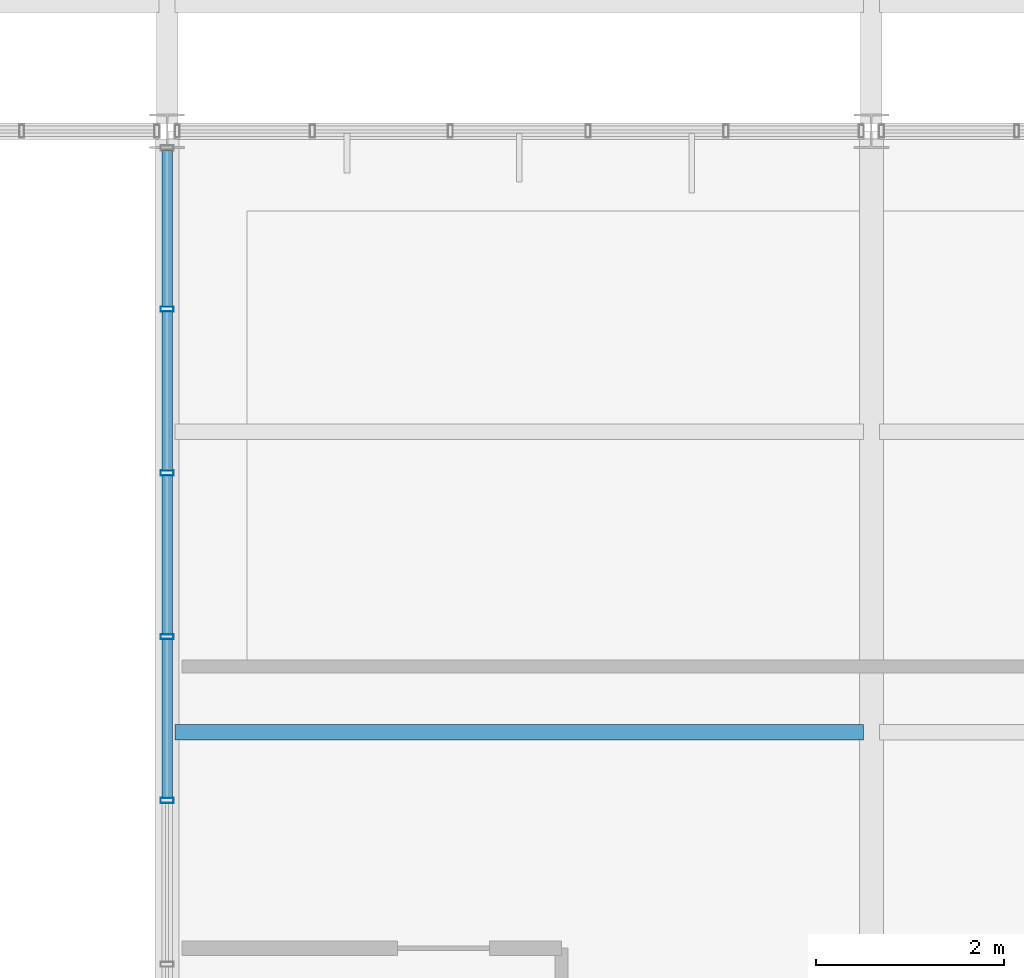
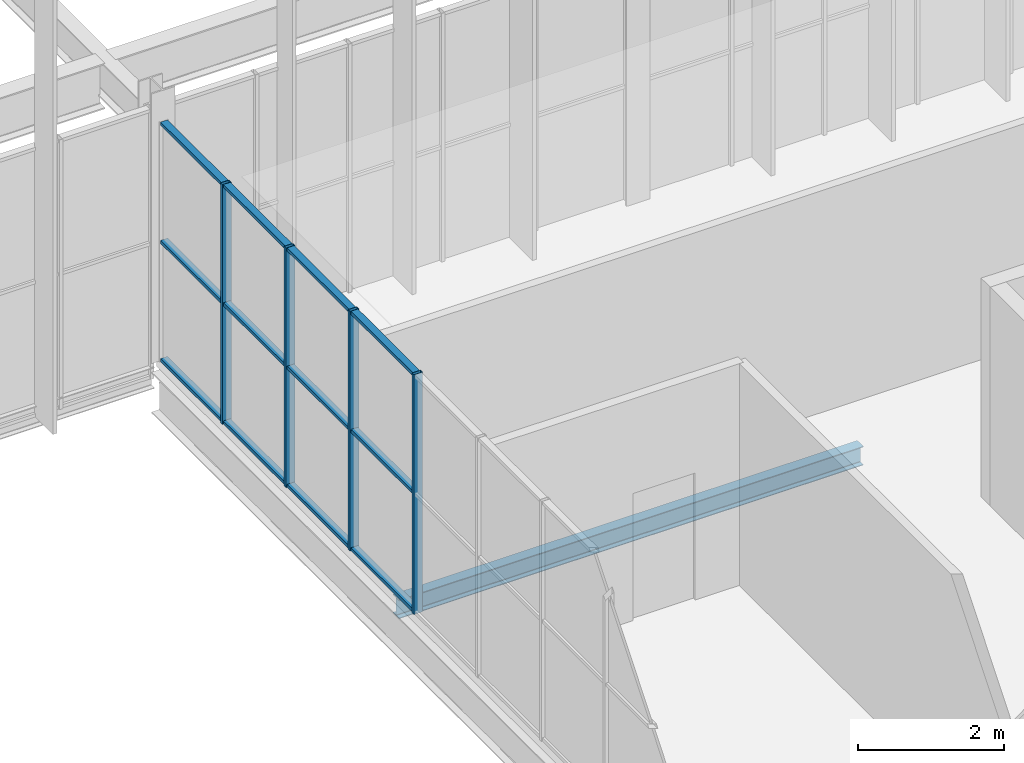
# One storey, part 176 of 324: 16 members, 1 beam, 1 element without a shape of its own.
"""IFC4 building model written with IfcOpenShell, lengths in metres."""

from ifc_helpers import new_model, si_unit, direction, frame, origin, origin_2d, place, context, subcontext, project, spatial, hollow_rectangle, i_section, extrude, material, layer, layer_set, material_profile, profile_set, type_object, element, aggregate, save


model = new_model("IFC4")

# Units and contexts
model_context = context("Model", 3, precision=1e-05, world=origin(), true_north=direction((0.0, 1.0)))
body_context = subcontext(model_context, "Body", "Model", "MODEL_VIEW")
ifc_project = project(units=[si_unit("LENGTHUNIT", "METRE"), si_unit("AREAUNIT", "SQUARE_METRE"), si_unit("VOLUMEUNIT", "CUBIC_METRE"), si_unit("PLANEANGLEUNIT", "RADIAN"), si_unit("MASSUNIT", "GRAM", prefix="KILO")], contexts=[model_context])

# Site, building, storey
site_placement = place(None, origin())
site = spatial("IfcSite", under=ifc_project, at=site_placement, CompositionType="ELEMENT")
building_placement = place(site_placement, origin())
building = spatial("IfcBuilding", under=site, at=building_placement, Name="Solvenia Promenade Tram Depot", CompositionType="ELEMENT")
storey_placement = place(building_placement, frame((0.0, 0.0, 4.5)))
storey = spatial("IfcBuildingStorey", under=building, at=storey_placement, Name="L01", CompositionType="ELEMENT", Elevation=4.5)

# Curtain wall, members
ifc_material_1 = material(Name="Anodized aluminium AW-6063 T6", Category="aluminium")
ifc_layer = layer(ifc_material_1, 0.179931640625, Name="Anodized aluminium AW-6063 T6", Category="aluminium")
ifc_layer_set = layer_set([ifc_layer], Name="Anodized aluminium AW-6063 T6")
curtain_wall_type = type_object("IfcCurtainWallType", Name="CW-Prom-1800", PredefinedType="NOTDEFINED", material=ifc_layer_set)
curtain_wall_placement = place(storey_placement, origin())
curtain_wall = element("IfcCurtainWall", 1, at=curtain_wall_placement, inside=storey, type_object=curtain_wall_type, Name="Curtain Wall CW-V5W-L01", PredefinedType="NOTDEFINED")
ifc_material_profile_1 = material_profile(ifc_material_1, hollow_rectangle(XDim=0.139892578125, YDim=0.054931640625, WallThickness=0.00390625, at=origin_2d()), Name="ALU-M4", Category="aluminium")
ifc_profile_set_1 = profile_set([ifc_material_profile_1], Name="Anodized aluminium AW-6063 T6")
member_type_1 = type_object("IfcMemberType", Name="CWM-Mullion-4", PredefinedType="MULLION", material=ifc_profile_set_1)
member_1_placement = place(storey_placement, frame((135.0, 16.872314453125, 0.0), z_axis=(0.0, 0.0, 1.0), x_axis=(-1.0, 0.0, 0.0)))
member_1 = element("IfcMember", 2, at=member_1_placement, type_object=member_type_1, Name="CW-9 mullion 6", PredefinedType="MULLION", context=body_context, shape_type="SweptSolid", body=[
    extrude(hollow_rectangle(XDim=0.139892578125, YDim=0.054931640625, WallThickness=0.00390625, at=origin_2d()), origin(), (0.0, 0.0, 1.0), 4.0),
])
member_2_placement = place(storey_placement, frame((135.0, 18.61669921875, 0.0), z_axis=(0.0, 0.0, 1.0), x_axis=(-1.0, 0.0, 0.0)))
member_2 = element("IfcMember", 3, at=member_2_placement, type_object=member_type_1, Name="CW-9 mullion 7", PredefinedType="MULLION", context=body_context, shape_type="SweptSolid", body=[
    extrude(hollow_rectangle(XDim=0.139892578125, YDim=0.054931640625, WallThickness=0.00390625, at=origin_2d()), origin(), (0.0, 0.0, 1.0), 4.0),
])
member_3_placement = place(storey_placement, frame((135.0, 20.361083984375, 0.0), z_axis=(0.0, 0.0, 1.0), x_axis=(-1.0, 0.0, 0.0)))
member_3 = element("IfcMember", 4, at=member_3_placement, type_object=member_type_1, Name="CW-9 mullion 8", PredefinedType="MULLION", context=body_context, shape_type="SweptSolid", body=[
    extrude(hollow_rectangle(XDim=0.139892578125, YDim=0.054931640625, WallThickness=0.00390625, at=origin_2d()), origin(), (0.0, 0.0, 1.0), 4.0),
])
member_4_placement = place(storey_placement, frame((135.0, 22.10546875, 0.0), z_axis=(0.0, 0.0, 1.0), x_axis=(-1.0, 0.0, 0.0)))
member_4 = element("IfcMember", 5, at=member_4_placement, type_object=member_type_1, Name="CW-9 mullion 9", PredefinedType="MULLION", context=body_context, shape_type="SweptSolid", body=[
    extrude(hollow_rectangle(XDim=0.139892578125, YDim=0.054931640625, WallThickness=0.00390625, at=origin_2d()), origin(), (0.0, 0.0, 1.0), 4.0),
])
ifc_material_profile_2 = material_profile(ifc_material_1, hollow_rectangle(XDim=0.110107421875, YDim=0.054931640625, WallThickness=0.00390625, at=origin_2d()), Name="ALU-T4", Category="aluminium")
ifc_profile_set_2 = profile_set([ifc_material_profile_2], Name="Anodized aluminium AW-6063 T6")
member_type_2 = type_object("IfcMemberType", Name="CWT-Transom-4", PredefinedType="USERDEFINED", material=ifc_profile_set_2)
member_5_placement = place(storey_placement, frame((135.0, 16.899658203125, 0.027587890625), z_axis=(0.0, 1.0, 0.0), x_axis=(-1.0, 0.0, 0.0)))
member_5 = element("IfcMember", 6, at=member_5_placement, type_object=member_type_2, Name="CW-9 transom 6.1", ObjectType="TRANSOM", PredefinedType="USERDEFINED", context=body_context, shape_type="SweptSolid", body=[
    extrude(hollow_rectangle(XDim=0.110107421875, YDim=0.054931640625, WallThickness=0.00390625, at=origin_2d()), origin(), (0.0, 0.0, 1.0), 1.689453125),
])
member_6_placement = place(storey_placement, frame((135.0, 16.899658203125, 2.0), z_axis=(0.0, 1.0, 0.0), x_axis=(-1.0, 0.0, 0.0)))
member_6 = element("IfcMember", 7, at=member_6_placement, type_object=member_type_2, Name="CW-9 transom 6.2", ObjectType="TRANSOM", PredefinedType="USERDEFINED", context=body_context, shape_type="SweptSolid", body=[
    extrude(hollow_rectangle(XDim=0.110107421875, YDim=0.054931640625, WallThickness=0.00390625, at=origin_2d()), origin(), (0.0, 0.0, 1.0), 1.689453125),
])
member_7_placement = place(storey_placement, frame((135.0, 16.899658203125, 3.972412109375), z_axis=(0.0, 1.0, 0.0), x_axis=(-1.0, 0.0, 0.0)))
member_7 = element("IfcMember", 8, at=member_7_placement, type_object=member_type_2, Name="CW-9 transom 6.3", ObjectType="TRANSOM", PredefinedType="USERDEFINED", context=body_context, shape_type="SweptSolid", body=[
    extrude(hollow_rectangle(XDim=0.110107421875, YDim=0.054931640625, WallThickness=0.00390625, at=origin_2d()), origin(), (0.0, 0.0, 1.0), 1.689453125),
])
member_8_placement = place(storey_placement, frame((135.0, 18.644287109375, 0.027587890625), z_axis=(0.0, 1.0, 0.0), x_axis=(-1.0, 0.0, 0.0)))
member_8 = element("IfcMember", 9, at=member_8_placement, type_object=member_type_2, Name="CW-9 transom 7.1", ObjectType="TRANSOM", PredefinedType="USERDEFINED", context=body_context, shape_type="SweptSolid", body=[
    extrude(hollow_rectangle(XDim=0.110107421875, YDim=0.054931640625, WallThickness=0.00390625, at=origin_2d()), origin(), (0.0, 0.0, 1.0), 1.689208984375),
])
member_9_placement = place(storey_placement, frame((135.0, 18.644287109375, 2.0), z_axis=(0.0, 1.0, 0.0), x_axis=(-1.0, 0.0, 0.0)))
member_9 = element("IfcMember", 10, at=member_9_placement, type_object=member_type_2, Name="CW-9 transom 7.2", ObjectType="TRANSOM", PredefinedType="USERDEFINED", context=body_context, shape_type="SweptSolid", body=[
    extrude(hollow_rectangle(XDim=0.110107421875, YDim=0.054931640625, WallThickness=0.00390625, at=origin_2d()), origin(), (0.0, 0.0, 1.0), 1.689208984375),
])
member_10_placement = place(storey_placement, frame((135.0, 18.644287109375, 3.972412109375), z_axis=(0.0, 1.0, 0.0), x_axis=(-1.0, 0.0, 0.0)))
member_10 = element("IfcMember", 11, at=member_10_placement, type_object=member_type_2, Name="CW-9 transom 7.3", ObjectType="TRANSOM", PredefinedType="USERDEFINED", context=body_context, shape_type="SweptSolid", body=[
    extrude(hollow_rectangle(XDim=0.110107421875, YDim=0.054931640625, WallThickness=0.00390625, at=origin_2d()), origin(), (0.0, 0.0, 1.0), 1.689208984375),
])
member_11_placement = place(storey_placement, frame((135.0, 20.388671875, 0.027587890625), z_axis=(0.0, 1.0, 0.0), x_axis=(-1.0, 0.0, 0.0)))
member_11 = element("IfcMember", 12, at=member_11_placement, type_object=member_type_2, Name="CW-9 transom 8.1", ObjectType="TRANSOM", PredefinedType="USERDEFINED", context=body_context, shape_type="SweptSolid", body=[
    extrude(hollow_rectangle(XDim=0.110107421875, YDim=0.054931640625, WallThickness=0.00390625, at=origin_2d()), origin(), (0.0, 0.0, 1.0), 1.689453125),
])
member_12_placement = place(storey_placement, frame((135.0, 20.388671875, 2.0), z_axis=(0.0, 1.0, 0.0), x_axis=(-1.0, 0.0, 0.0)))
member_12 = element("IfcMember", 13, at=member_12_placement, type_object=member_type_2, Name="CW-9 transom 8.2", ObjectType="TRANSOM", PredefinedType="USERDEFINED", context=body_context, shape_type="SweptSolid", body=[
    extrude(hollow_rectangle(XDim=0.110107421875, YDim=0.054931640625, WallThickness=0.00390625, at=origin_2d()), origin(), (0.0, 0.0, 1.0), 1.689453125),
])
member_13_placement = place(storey_placement, frame((135.0, 20.388671875, 3.972412109375), z_axis=(0.0, 1.0, 0.0), x_axis=(-1.0, 0.0, 0.0)))
member_13 = element("IfcMember", 14, at=member_13_placement, type_object=member_type_2, Name="CW-9 transom 8.3", ObjectType="TRANSOM", PredefinedType="USERDEFINED", context=body_context, shape_type="SweptSolid", body=[
    extrude(hollow_rectangle(XDim=0.110107421875, YDim=0.054931640625, WallThickness=0.00390625, at=origin_2d()), origin(), (0.0, 0.0, 1.0), 1.689453125),
])
member_14_placement = place(storey_placement, frame((135.0, 22.133056640625, 0.027587890625), z_axis=(0.0, 1.0, 0.0), x_axis=(-1.0, 0.0, 0.0)))
member_14 = element("IfcMember", 15, at=member_14_placement, type_object=member_type_2, Name="CW-9 transom 9.1", ObjectType="TRANSOM", PredefinedType="USERDEFINED", context=body_context, shape_type="SweptSolid", body=[
    extrude(hollow_rectangle(XDim=0.110107421875, YDim=0.054931640625, WallThickness=0.00390625, at=origin_2d()), origin(), (0.0, 0.0, 1.0), 1.661865234375),
])
member_15_placement = place(storey_placement, frame((135.0, 22.133056640625, 2.0), z_axis=(0.0, 1.0, 0.0), x_axis=(-1.0, 0.0, 0.0)))
member_15 = element("IfcMember", 16, at=member_15_placement, type_object=member_type_2, Name="CW-9 transom 9.2", ObjectType="TRANSOM", PredefinedType="USERDEFINED", context=body_context, shape_type="SweptSolid", body=[
    extrude(hollow_rectangle(XDim=0.110107421875, YDim=0.054931640625, WallThickness=0.00390625, at=origin_2d()), origin(), (0.0, 0.0, 1.0), 1.661865234375),
])
member_16_placement = place(storey_placement, frame((135.0, 22.133056640625, 3.972412109375), z_axis=(0.0, 1.0, 0.0), x_axis=(-1.0, 0.0, 0.0)))
member_16 = element("IfcMember", 17, at=member_16_placement, type_object=member_type_2, Name="CW-9 transom 9.3", ObjectType="TRANSOM", PredefinedType="USERDEFINED", context=body_context, shape_type="SweptSolid", body=[
    extrude(hollow_rectangle(XDim=0.110107421875, YDim=0.054931640625, WallThickness=0.00390625, at=origin_2d()), origin(), (0.0, 0.0, 1.0), 1.661865234375),
])
aggregate(curtain_wall, [member_1, member_2, member_3, member_4, member_5, member_6, member_7, member_8, member_9, member_10, member_11, member_12, member_13, member_14, member_15, member_16])

# Beam
ifc_material_2 = material(Name="Structural steel ASTM A992 Gr. 50", Category="steel")
ifc_material_profile_3 = material_profile(ifc_material_2, i_section(OverallWidth=0.166015625, OverallDepth=0.31298828125, WebThickness=0.006591796875, FlangeThickness=0.01123046875, FilletRadius=0.010009765625, at=origin_2d()), Name="W310x45", Category="steel")
ifc_profile_set_3 = profile_set([ifc_material_profile_3], Name="Structural steel ASTM A992 Gr. 50")
beam_type = type_object("IfcBeamType", Name="Joist-W310x45", PredefinedType="JOIST", material=ifc_profile_set_3)
beam_placement = place(storey_placement, frame((135.0849609375, 17.60009765625, -0.37646484375), z_axis=(1.0, 0.0, 0.0), x_axis=(0.0, 1.0, 0.0)))
element("IfcBeam", 18, at=beam_placement, inside=storey, type_object=beam_type, Name="Secondary Floor Joist BM-L01-0432", PredefinedType="JOIST", context=body_context, shape_type="SweptSolid", body=[
    extrude(i_section(OverallWidth=0.166015625, OverallDepth=0.31298828125, WebThickness=0.006591796875, FlangeThickness=0.01123046875, FilletRadius=0.010009765625, at=origin_2d()), origin(), (0.0, 0.0, 1.0), 7.330078125),
])

save(model, "model.ifc")
